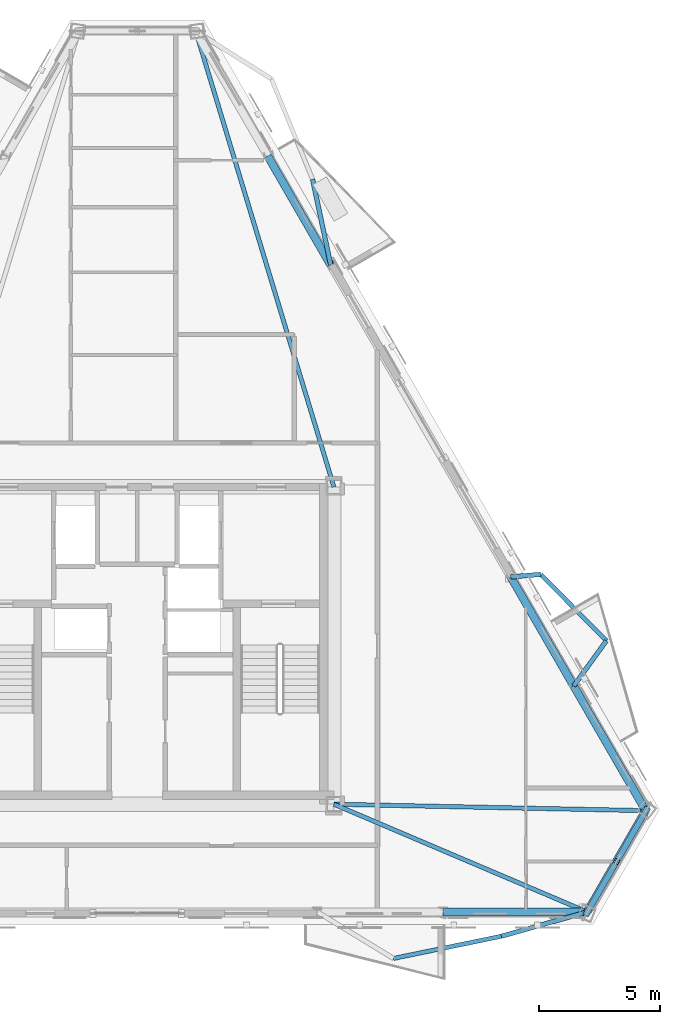
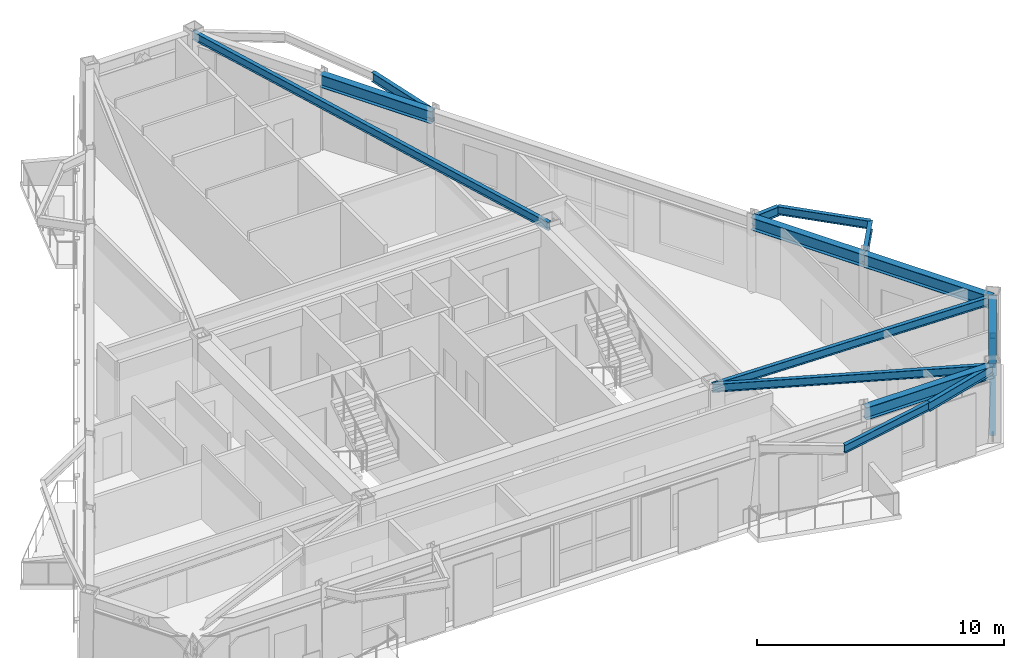
# One storey, part 5 of 15: 14 beams, 2 members.
"""IFC4 building model written with IfcOpenShell, lengths in metres."""

from ifc_helpers import new_model, si_unit, direction, frame, origin, origin_2d, place, context, subcontext, project, spatial, hollow_rectangle, i_section, extrude, material, material_profile, profile_set, type_object, element, save


model = new_model("IFC4")

# Units and contexts
model_context = context("Model", 3, precision=1e-05, world=origin(), true_north=direction((0.0, 1.0)))
body_context = subcontext(model_context, "Body", "Model", "MODEL_VIEW")
ifc_project = project(units=[si_unit("LENGTHUNIT", "METRE"), si_unit("AREAUNIT", "SQUARE_METRE"), si_unit("VOLUMEUNIT", "CUBIC_METRE"), si_unit("PLANEANGLEUNIT", "RADIAN"), si_unit("MASSUNIT", "GRAM", prefix="KILO")], contexts=[model_context])

# Site, building, storey
site_placement = place(None, origin())
site = spatial("IfcSite", under=ifc_project, at=site_placement, CompositionType="ELEMENT")
building_placement = place(site_placement, origin())
building = spatial("IfcBuilding", under=site, at=building_placement, Name="Oramaril Tower", CompositionType="ELEMENT")
storey_placement = place(building_placement, frame((0.0, 0.0, 265.5)))
storey = spatial("IfcBuildingStorey", under=building, at=storey_placement, Name="L70", CompositionType="ELEMENT", Elevation=265.5)

# Beams
ifc_material_1 = material(Name="Steel ASTM A572 Gr 50", Category="steel")
ifc_material_profile_1 = material_profile(ifc_material_1, i_section(OverallWidth=0.19091796875, OverallDepth=0.45703125, WebThickness=0.009033203125, FlangeThickness=0.014404296875, at=origin_2d()), Name="W18X50")
ifc_profile_set_1 = profile_set([ifc_material_profile_1], Name="Steel ASTM A572 Gr 50")
beam_type_1 = type_object("IfcBeamType", Name="BT-BB1", PredefinedType="BEAM", material=ifc_profile_set_1)
beam_1_placement = place(storey_placement, frame((56.14794921875, 6.53466796875, 3.451416015625), z_axis=(-0.96224518264, -0.272184144442, 0.0), x_axis=(0.272184144442, -0.96224518264, 0.0)))
element("IfcBeam", 1, at=beam_1_placement, inside=storey, type_object=beam_type_1, Name="L70 Balcony Column-Framed Cantilever 02.2", PredefinedType="BEAM", context=body_context, shape_type="SweptSolid", body=[
    extrude(i_section(OverallWidth=0.19091796875, OverallDepth=0.45703125, WebThickness=0.009033203125, FlangeThickness=0.014404296875, at=origin_2d()), origin(), (0.0, 0.0, 1.0), 3.699951171875),
])
beam_2_placement = place(storey_placement, frame((55.588134765625, 15.90087890625, 3.451416015625), z_axis=(0.585668027574, 0.810551023365, 0.0), x_axis=(-0.810551023365, 0.585668027574, 0.0)))
element("IfcBeam", 2, at=beam_2_placement, inside=storey, type_object=beam_type_1, Name="L70 Balcony Column-Framed Cantilever 03.1", PredefinedType="BEAM", context=body_context, shape_type="SweptSolid", body=[
    extrude(i_section(OverallWidth=0.19091796875, OverallDepth=0.45703125, WebThickness=0.009033203125, FlangeThickness=0.014404296875, at=origin_2d()), origin(), (0.0, 0.0, 1.0), 2.310302734375),
])
beam_3_placement = place(storey_placement, frame((52.977294921875, 20.4228515625, 3.451416015625), z_axis=(0.996583448391, 0.082591951143, 0.0), x_axis=(-0.082591951143, 0.996583448391, 0.0)))
element("IfcBeam", 3, at=beam_3_placement, inside=storey, type_object=beam_type_1, Name="L70 Balcony Column-Framed Cantilever 03.2", PredefinedType="BEAM", context=body_context, shape_type="SweptSolid", body=[
    extrude(i_section(OverallWidth=0.19091796875, OverallDepth=0.45703125, WebThickness=0.009033203125, FlangeThickness=0.014404296875, at=origin_2d()), origin(), (0.0, 0.0, 1.0), 1.247314453125),
])
beam_4_placement = place(storey_placement, frame((45.518310546875, 33.342529296875, 3.451416015625), z_axis=(-0.206704023341, 0.97840351938, 0.0), x_axis=(-0.97840351938, -0.206704023341, 0.0)))
element("IfcBeam", 4, at=beam_4_placement, inside=storey, type_object=beam_type_1, Name="L70 Balcony Column-Framed Cantilever 04.1", PredefinedType="BEAM", context=body_context, shape_type="SweptSolid", body=[
    extrude(i_section(OverallWidth=0.19091796875, OverallDepth=0.45703125, WebThickness=0.009033203125, FlangeThickness=0.014404296875, at=origin_2d()), origin(), (0.0, 0.0, 1.0), 3.63671875),
])
ifc_material_2 = material(Name="Steel ASTM A572 Gr 50", Category="steel")
ifc_material_profile_2 = material_profile(ifc_material_2, i_section(OverallWidth=0.177978515625, OverallDepth=0.404052734375, WebThickness=0.007568359375, FlangeThickness=0.010986328125, at=origin_2d()), Name="W16X36")
ifc_profile_set_2 = profile_set([ifc_material_profile_2], Name="Steel ASTM A572 Gr 50")
beam_type_2 = type_object("IfcBeamType", Name="BT-SB1", PredefinedType="BEAM", material=ifc_profile_set_2)
beam_5_placement = place(storey_placement, frame((45.64990234375, 11.0, 3.47802734375), z_axis=(0.920215323168, -0.391412517692, 0.0), x_axis=(0.391412517692, 0.920215323168, 0.0)))
element("IfcBeam", 5, at=beam_5_placement, inside=storey, type_object=beam_type_2, Name="L70 Radial Primary Beam RB-03", PredefinedType="BEAM", context=body_context, shape_type="SweptSolid", body=[
    extrude(i_section(OverallWidth=0.177978515625, OverallDepth=0.404052734375, WebThickness=0.007568359375, FlangeThickness=0.010986328125, at=origin_2d()), origin(), (0.0, 0.0, 1.0), 11.408203125),
])
beam_6_placement = place(storey_placement, frame((45.64990234375, 11.0, 3.47802734375), z_axis=(0.999786842566, -0.020646293435, 0.0), x_axis=(0.020646293435, 0.999786842566, 0.0)))
element("IfcBeam", 6, at=beam_6_placement, inside=storey, type_object=beam_type_2, Name="L70 Radial Primary Beam RB-04", PredefinedType="BEAM", context=body_context, shape_type="SweptSolid", body=[
    extrude(i_section(OverallWidth=0.177978515625, OverallDepth=0.404052734375, WebThickness=0.007568359375, FlangeThickness=0.010986328125, at=origin_2d()), origin(), (0.0, 0.0, 1.0), 12.924560546875),
])
beam_7_placement = place(storey_placement, frame((45.64990234375, 24.14990234375, 3.47802734375), z_axis=(-0.2902003859, 0.956965901181, 0.0), x_axis=(-0.956965901181, -0.2902003859, 0.0)))
element("IfcBeam", 7, at=beam_7_placement, inside=storey, type_object=beam_type_2, Name="L70 Radial Primary Beam RB-05", PredefinedType="BEAM", context=body_context, shape_type="SweptSolid", body=[
    extrude(i_section(OverallWidth=0.177978515625, OverallDepth=0.404052734375, WebThickness=0.007568359375, FlangeThickness=0.010986328125, at=origin_2d()), origin(), (0.0, 0.0, 1.0), 19.7314453125),
])
beam_8_placement = place(storey_placement, frame((48.118408203125, 4.6083984375, 3.47802734375), z_axis=(0.979498052371, 0.201453630896, 0.0), x_axis=(-0.201453630896, 0.979498052371, 0.0)))
element("IfcBeam", 8, at=beam_8_placement, inside=storey, type_object=beam_type_2, Name="L70 Balcony Edge Tie Beam 02", PredefinedType="BEAM", context=body_context, shape_type="SweptSolid", body=[
    extrude(i_section(OverallWidth=0.177978515625, OverallDepth=0.404052734375, WebThickness=0.007568359375, FlangeThickness=0.010986328125, at=origin_2d()), origin(), (0.0, 0.0, 1.0), 4.562744140625),
])
beam_9_placement = place(storey_placement, frame((56.941162109375, 17.7734375, 3.47802734375), z_axis=(-0.702994511648, 0.71119527318, 0.0), x_axis=(-0.71119527318, -0.702994511648, 0.0)))
element("IfcBeam", 9, at=beam_9_placement, inside=storey, type_object=beam_type_2, Name="L70 Balcony Edge Tie Beam 03", PredefinedType="BEAM", context=body_context, shape_type="SweptSolid", body=[
    extrude(i_section(OverallWidth=0.177978515625, OverallDepth=0.404052734375, WebThickness=0.007568359375, FlangeThickness=0.010986328125, at=origin_2d()), origin(), (0.0, 0.0, 1.0), 3.8701171875),
])
ifc_material_3 = material(Name="Steel ASTM A572 Gr 50", Category="steel")
ifc_material_profile_3 = material_profile(ifc_material_3, i_section(OverallWidth=0.324951171875, OverallDepth=0.612060546875, WebThickness=0.0126953125, FlangeThickness=0.01904296875, at=origin_2d()), Name="W24X104")
ifc_profile_set_3 = profile_set([ifc_material_profile_3], Name="Steel ASTM A572 Gr 50")
beam_type_3 = type_object("IfcBeamType", Name="BT-SP5", PredefinedType="SPANDREL", material=ifc_profile_set_3)
beam_10_placement = place(storey_placement, frame((50.1806640625, 6.53466796875, 3.3740234375), z_axis=(1.0, 0.0, 0.0), x_axis=(0.0, 1.0, 0.0)))
element("IfcBeam", 10, at=beam_10_placement, inside=storey, type_object=beam_type_3, Name="L70 Perimeter Spandrel 06", PredefinedType="SPANDREL", context=body_context, shape_type="SweptSolid", body=[
    extrude(i_section(OverallWidth=0.324951171875, OverallDepth=0.612060546875, WebThickness=0.0126953125, FlangeThickness=0.01904296875, at=origin_2d()), origin(), (0.0, 0.0, 1.0), 5.96728515625),
])
beam_11_placement = place(storey_placement, frame((56.14794921875, 6.53466796875, 3.3740234375), z_axis=(0.499973841066, 0.866040506125, 0.0), x_axis=(-0.866040506125, 0.499973841066, 0.0)))
element("IfcBeam", 11, at=beam_11_placement, inside=storey, type_object=beam_type_3, Name="L70 Perimeter Spandrel 07", PredefinedType="SPANDREL", context=body_context, shape_type="SweptSolid", body=[
    extrude(i_section(OverallWidth=0.324951171875, OverallDepth=0.612060546875, WebThickness=0.0126953125, FlangeThickness=0.01904296875, at=origin_2d()), origin(), (0.0, 0.0, 1.0), 4.847900390625),
])
beam_12_placement = place(storey_placement, frame((58.57177734375, 10.733154296875, 3.3740234375), z_axis=(-0.500006961011, 0.866021384806, 0.0), x_axis=(-0.866021384806, -0.500006961011, 0.0)))
element("IfcBeam", 12, at=beam_12_placement, inside=storey, type_object=beam_type_3, Name="L70 Perimeter Spandrel 08", PredefinedType="SPANDREL", context=body_context, shape_type="SweptSolid", body=[
    extrude(i_section(OverallWidth=0.324951171875, OverallDepth=0.612060546875, WebThickness=0.0126953125, FlangeThickness=0.01904296875, at=origin_2d()), origin(), (0.0, 0.0, 1.0), 5.96728515625),
])
beam_13_placement = place(storey_placement, frame((55.588134765625, 15.90087890625, 3.3740234375), z_axis=(-0.500011162334, 0.866018959112, 0.0), x_axis=(-0.866018959112, -0.500011162334, 0.0)))
element("IfcBeam", 13, at=beam_13_placement, inside=storey, type_object=beam_type_3, Name="L70 Perimeter Spandrel 09", PredefinedType="SPANDREL", context=body_context, shape_type="SweptSolid", body=[
    extrude(i_section(OverallWidth=0.324951171875, OverallDepth=0.612060546875, WebThickness=0.0126953125, FlangeThickness=0.01904296875, at=origin_2d()), origin(), (0.0, 0.0, 1.0), 5.2216796875),
])
beam_14_placement = place(storey_placement, frame((45.518310546875, 33.342529296875, 3.3740234375), z_axis=(-0.499996341005, 0.866027516296, 0.0), x_axis=(-0.866027516296, -0.499996341005, 0.0)))
element("IfcBeam", 14, at=beam_14_placement, inside=storey, type_object=beam_type_3, Name="L70 Perimeter Spandrel 11", PredefinedType="SPANDREL", context=body_context, shape_type="SweptSolid", body=[
    extrude(i_section(OverallWidth=0.324951171875, OverallDepth=0.612060546875, WebThickness=0.0126953125, FlangeThickness=0.01904296875, at=origin_2d()), origin(), (0.0, 0.0, 1.0), 5.22119140625),
])

# Members
ifc_material_4 = material(Name="Steel ASTM A572 Gr 50", Category="steel")
ifc_material_profile_4 = material_profile(ifc_material_4, hollow_rectangle(XDim=0.25, YDim=0.25, WallThickness=0.011962890625, at=origin_2d()), Name="HSS250X250X12")
ifc_profile_set_4 = profile_set([ifc_material_profile_4], Name="Steel ASTM A572 Gr 50")
member_type = type_object("IfcMemberType", Name="MT-KB3", PredefinedType="BRACE", material=ifc_profile_set_4)
for number, where, z_axis, x_axis, name in (
    (15, (56.1240234375, 6.474853515625, 0.179931640625), (0.307247383872, 0.532119904866, 0.788953390226), (-0.86600580256, 0.500033948781, 0.0), "L70 Perimeter Chevron Brace KB-2A"),
    (16, (58.61181640625, 10.78369140625, 0.179931640625), (-0.307237524588, -0.532163131401, 0.788928073441), (0.866030338286, -0.499991453095, 0.0), "L70 Perimeter Chevron Brace KB-2B"),
):
    element("IfcMember", number, at=place(storey_placement, frame(where, z_axis=z_axis, x_axis=x_axis)), inside=storey, type_object=member_type, Name=name, PredefinedType="BRACE", context=body_context, shape_type="SweptSolid", body=[
        extrude(hollow_rectangle(XDim=0.25, YDim=0.25, WallThickness=0.011962890625, at=origin_2d()), origin(), (0.0, 0.0, 1.0), 4.048583984375),
    ])

save(model, "model.ifc")
